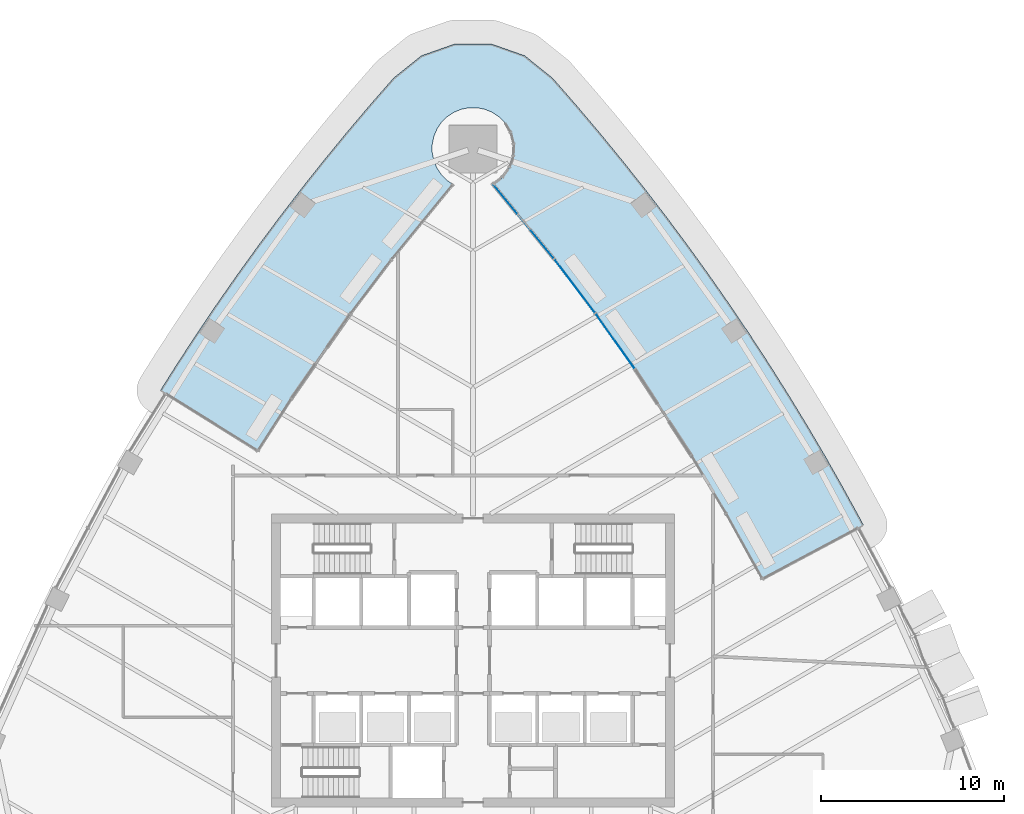
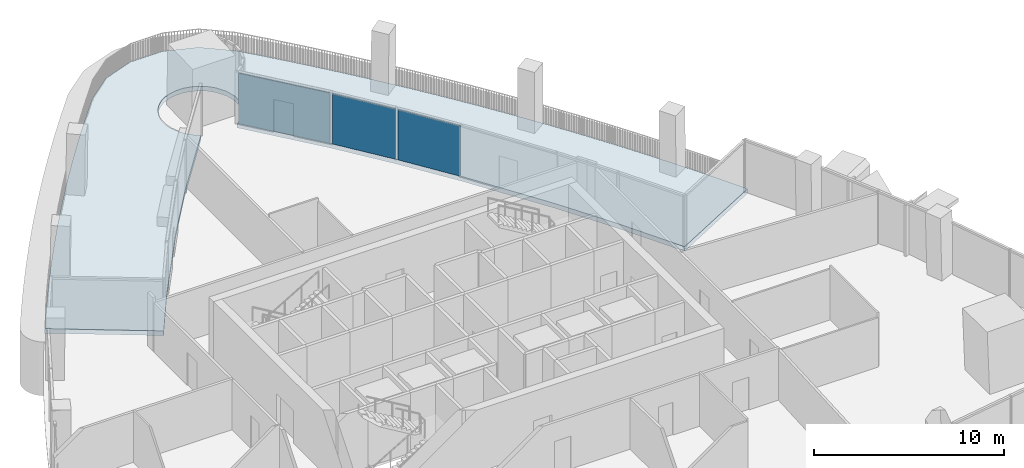
# One storey, part 11 of 21: 3 plates, 1 slab, 3 elements without a shape of their own.
"""IFC4 building model written with IfcOpenShell, lengths in metres."""

from ifc_helpers import new_model, si_unit, direction, frame, origin, origin_2d, place, context, subcontext, project, spatial, polyline, rectangle, outline, extrude, material, layer, layer_set, type_object, element, aggregate, save


model = new_model("IFC4")

# Units and contexts
model_context = context("Model", 3, precision=1e-05, world=origin(), true_north=direction((0.0, 1.0)))
body_context = subcontext(model_context, "Body", "Model", "MODEL_VIEW")
ifc_project = project(units=[si_unit("LENGTHUNIT", "METRE"), si_unit("AREAUNIT", "SQUARE_METRE"), si_unit("VOLUMEUNIT", "CUBIC_METRE"), si_unit("PLANEANGLEUNIT", "RADIAN"), si_unit("MASSUNIT", "GRAM", prefix="KILO")], contexts=[model_context])

# Site, building, storey
site_placement = place(None, origin())
site = spatial("IfcSite", under=ifc_project, at=site_placement, CompositionType="ELEMENT")
building_placement = place(site_placement, origin())
building = spatial("IfcBuilding", under=site, at=building_placement, Name="Sierra Prisma Convention Tower", CompositionType="ELEMENT")
storey_placement = place(building_placement, frame((0.0, 0.0, 157.800048828125)))
storey = spatial("IfcBuildingStorey", under=building, at=storey_placement, Name="L34", CompositionType="ELEMENT", Elevation=157.800048828125)

# Curtain wall, plate
ifc_material_1 = material(Name="Aluminium and glass curtain wall", Category="aluminium")
ifc_layer_1 = layer(ifc_material_1, 0.179931640625)
ifc_layer_set_1 = layer_set([ifc_layer_1], Name="CW-6 Terrace recess curtain wall")
curtain_wall_type = type_object("IfcCurtainWallType", Name="CW-6 Terrace recess curtain wall", PredefinedType="NOTDEFINED", material=ifc_layer_set_1)
curtain_wall_1_placement = place(storey_placement, origin())
curtain_wall_1 = element("IfcCurtainWall", 1, at=curtain_wall_1_placement, inside=storey, type_object=curtain_wall_type, Name="CW-6 R4 L34", PredefinedType="NOTDEFINED")
ifc_material_2 = material(Name="Tinted glass bronze-grey IGU", Category="glass")
ifc_layer_2 = layer(ifc_material_2, 0.028076171875)
ifc_layer_set_2 = layer_set([ifc_layer_2], Name="CW-6 glass panel")
plate_type = type_object("IfcPlateType", Name="CW-6 glass panel", PredefinedType="CURTAIN_PANEL", material=ifc_layer_set_2)
plate_1_placement = place(storey_placement, frame((7.774169921875, 17.40283203125, 0.0), z_axis=(0.0, 0.0, 1.0), x_axis=(-0.578396430625, 0.81575582685, 0.0)))
plate_1 = element("IfcPlate", 2, at=plate_1_placement, type_object=plate_type, Name="CW-6 panel R4.1", PredefinedType="CURTAIN_PANEL", context=body_context, shape_type="SweptSolid", body=[
    extrude(rectangle(XDim=3.59375, YDim=0.028076171875, at=origin_2d()), origin(), (0.0, 0.0, 1.0), 3.219970703125),
])
aggregate(curtain_wall_1, [plate_1])

curtain_wall_2_placement = place(storey_placement, origin())
curtain_wall_2 = element("IfcCurtainWall", 3, at=curtain_wall_2_placement, inside=storey, type_object=curtain_wall_type, Name="CW-6 R5 L34", PredefinedType="NOTDEFINED")
plate_2_placement = place(storey_placement, frame((5.56787109375, 20.414306640625, 0.0), z_axis=(0.0, 0.0, 1.0), x_axis=(-0.603446185925, 0.79740372503, 0.0)))
plate_2 = element("IfcPlate", 4, at=plate_2_placement, type_object=plate_type, Name="CW-6 panel R5.1", PredefinedType="CURTAIN_PANEL", context=body_context, shape_type="SweptSolid", body=[
    extrude(rectangle(XDim=3.59375, YDim=0.028076171875, at=origin_2d()), origin(), (0.0, 0.0, 1.0), 3.219970703125),
])
aggregate(curtain_wall_2, [plate_2])

curtain_wall_3_placement = place(storey_placement, origin())
curtain_wall_3 = element("IfcCurtainWall", 5, at=curtain_wall_3_placement, inside=storey, type_object=curtain_wall_type, Name="CW-6 R6 L34", PredefinedType="NOTDEFINED")
plate_3_placement = place(storey_placement, frame((2.769287109375, 23.946533203125, 0.0), z_axis=(0.0, 0.0, 1.0), x_axis=(-0.633210722259, 0.773979444957, 0.0)))
plate_3 = element("IfcPlate", 6, at=plate_3_placement, type_object=plate_type, Name="CW-6 panel R6.1", PredefinedType="CURTAIN_PANEL", context=body_context, shape_type="SweptSolid", body=[
    extrude(rectangle(XDim=5.140869140625, YDim=0.028076171875, at=origin_2d()), origin(), (0.0, 0.0, 1.0), 3.219970703125),
])
aggregate(curtain_wall_3, [plate_3])

# Slab
ifc_material_3 = material(Name="Concrete C50/60", Category="concrete")
ifc_layer_3 = layer(ifc_material_3, 0.300048828125)
ifc_layer_set_3 = layer_set([ifc_layer_3], Name="Terrace slab")
slab_type = type_object("IfcSlabType", Name="Terrace slab", PredefinedType="FLOOR", material=ifc_layer_set_3)
slab_placement = place(storey_placement, frame((0.0, 0.0, -0.300048828125)))
element("IfcSlab", 7, at=slab_placement, inside=storey, type_object=slab_type, Name="Terrace slab L34", PredefinedType="FLOOR", context=body_context, shape_type="SweptSolid", body=[
    extrude(outline(polyline([(21.304443359375, 7.392822265625), (21.154052734375, 7.67822265625), (20.2119140625, 9.401611328125), (19.2431640625, 11.110107421875), (18.247802734375, 12.80322265625), (17.2265625, 14.480712890625), (16.179443359375, 16.14208984375), (15.1064453125, 17.787109375), (14.008056640625, 19.415283203125), (12.884521484375, 21.026123046875), (11.736328125, 22.619384765625), (10.563232421875, 24.19482421875), (9.365966796875, 25.75146484375), (8.144775390625, 27.28955078125), (6.899658203125, 28.80859375), (5.631103515625, 30.307861328125), (4.339599609375, 31.787353515625), (2.8173828125, 33.009033203125), (0.975830078125, 33.656494140625), (-0.975830078125, 33.656494140625), (-2.8173828125, 33.009033203125), (-4.339599609375, 31.787353515625), (-5.631103515625, 30.307861328125), (-6.899658203125, 28.80859375), (-8.144775390625, 27.28955078125), (-9.365966796875, 25.75146484375), (-10.563232421875, 24.19482421875), (-11.736328125, 22.619384765625), (-12.884521484375, 21.026123046875), (-14.008056640625, 19.415283203125), (-15.1064453125, 17.787109375), (-16.179443359375, 16.14208984375), (-17.054443359375, 14.753662109375), (-11.750732421875, 11.447021484375), (-9.89794921875, 14.33203125), (-6.6943359375, 18.92578125), (-4.441162109375, 21.903076171875), (-1.09716796875, 25.990234375), (-1.420166015625, 26.208984375), (-1.73046875, 26.519287109375), (-1.97412109375, 26.884033203125), (-2.14208984375, 27.28955078125), (-2.227783203125, 27.719970703125), (-2.227783203125, 28.15869140625), (-2.14208984375, 28.589111328125), (-1.97412109375, 28.994384765625), (-1.73046875, 29.359375), (-1.420166015625, 29.669677734375), (-1.05517578125, 29.91357421875), (-0.64990234375, 30.081298828125), (-0.219482421875, 30.1669921875), (0.219482421875, 30.1669921875), (0.64990234375, 30.081298828125), (1.05517578125, 29.91357421875), (1.420166015625, 29.669677734375), (1.73046875, 29.359375), (2.068115234375, 28.7958984375), (2.227783203125, 28.15869140625), (2.195556640625, 27.502685546875), (1.97412109375, 26.884033203125), (1.582763671875, 26.3564453125), (1.09716796875, 25.990234375), (4.441162109375, 21.903076171875), (6.6943359375, 18.92578125), (8.85400390625, 15.8798828125), (11.913330078125, 11.18896484375), (13.830322265625, 7.98486328125), (15.78662109375, 4.451904296875), (21.304443359375, 7.392822265625)])), origin(), (0.0, 0.0, 1.0), 0.300048828125),
])

save(model, "model.ifc")
